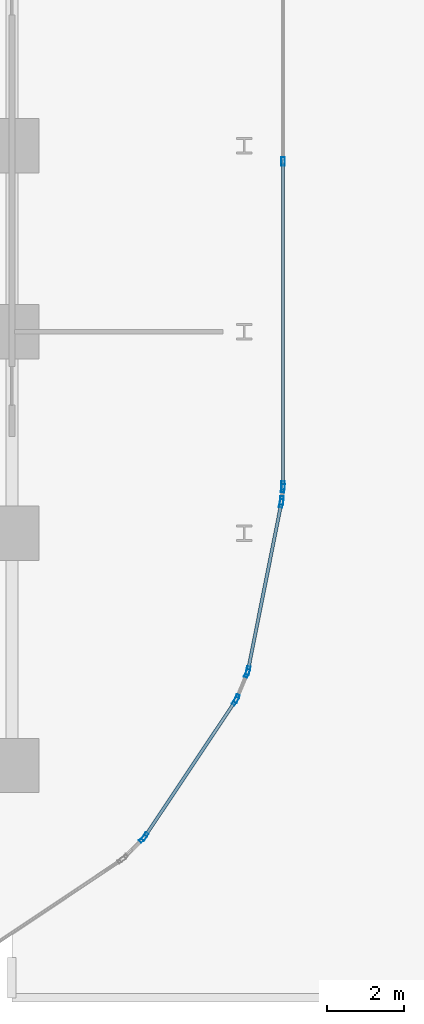
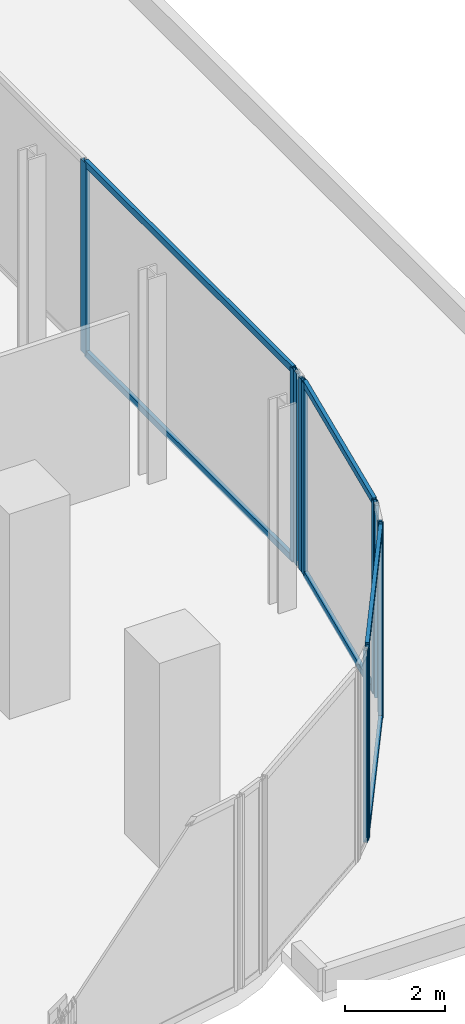
# One storey, part 15 of 29: 17 members, 6 elements without a shape of their own.
"""IFC4 building model written with IfcOpenShell, lengths in metres."""

from ifc_helpers import new_model, si_unit, direction, frame, origin, origin_2d, place, context, subcontext, project, spatial, hollow_rectangle, extrude, material, layer, layer_set, material_profile, profile_set, type_object, element, aggregate, save


model = new_model("IFC4")

# Units and contexts
model_context = context("Model", 3, precision=1e-05, world=origin(), true_north=direction((0.0, 1.0)))
body_context = subcontext(model_context, "Body", "Model", "MODEL_VIEW")
ifc_project = project(units=[si_unit("LENGTHUNIT", "METRE"), si_unit("AREAUNIT", "SQUARE_METRE"), si_unit("VOLUMEUNIT", "CUBIC_METRE"), si_unit("PLANEANGLEUNIT", "RADIAN"), si_unit("MASSUNIT", "GRAM", prefix="KILO")], contexts=[model_context])

# Site, building, storey
site_placement = place(None, origin())
site = spatial("IfcSite", under=ifc_project, at=site_placement, CompositionType="ELEMENT")
building_placement = place(site_placement, origin())
building = spatial("IfcBuilding", under=site, at=building_placement, Name="Keshet Zoharim Tower", CompositionType="ELEMENT")
storey_placement = place(building_placement, frame((0.0, 0.0, 19.0)))
storey = spatial("IfcBuildingStorey", under=building, at=storey_placement, Name="L03", CompositionType="ELEMENT", Elevation=19.0)

# Curtain wall, members
ifc_material = material(Name="Aluminium 6063-T6", Category="aluminium")
ifc_layer_1 = layer(ifc_material, 0.169921875)
ifc_layer_set_1 = layer_set([ifc_layer_1], Name="Aluminium 6063-T6")
curtain_wall_type_1 = type_object("IfcCurtainWallType", Name="CW-SYS-02", PredefinedType="NOTDEFINED", material=ifc_layer_set_1)
curtain_wall_1_placement = place(storey_placement, origin())
curtain_wall_1 = element("IfcCurtainWall", 1, at=curtain_wall_1_placement, inside=storey, type_object=curtain_wall_type_1, Name="L03 Unitised Curtain Wall 15", PredefinedType="NOTDEFINED")
ifc_material_profile_1 = material_profile(ifc_material, hollow_rectangle(XDim=0.090087890625, YDim=0.219970703125, WallThickness=0.0048828125, at=origin_2d()), Name="MUL-90x220")
ifc_profile_set_1 = profile_set([ifc_material_profile_1], Name="Aluminium 6063-T6")
member_type_1 = type_object("IfcMemberType", Name="CWM-M22", PredefinedType="MULLION", material=ifc_profile_set_1)
member_1_placement = place(storey_placement, frame((70.0, 22.298583984375, 0.0), z_axis=(0.0, 0.0, 1.0), x_axis=(1.0, 0.0, 0.0)))
member_1 = element("IfcMember", 2, at=member_1_placement, type_object=member_type_1, Name="CW-02 mullion 2", PredefinedType="MULLION", context=body_context, shape_type="SweptSolid", body=[
    extrude(hollow_rectangle(XDim=0.090087890625, YDim=0.219970703125, WallThickness=0.0048828125, at=origin_2d()), origin(), (0.0, 0.0, 1.0), 4.68505859375),
])
member_2_placement = place(storey_placement, frame((70.0, 13.931884765625, 0.0), z_axis=(0.0, 0.0, 1.0), x_axis=(1.0, 0.0, 0.0)))
member_2 = element("IfcMember", 3, at=member_2_placement, type_object=member_type_1, Name="CW-02 mullion 3", PredefinedType="MULLION", context=body_context, shape_type="SweptSolid", body=[
    extrude(hollow_rectangle(XDim=0.090087890625, YDim=0.219970703125, WallThickness=0.0048828125, at=origin_2d()), origin(), (0.0, 0.0, 1.0), 4.68505859375),
])

curtain_wall_2_placement = place(storey_placement, origin())
curtain_wall_2 = element("IfcCurtainWall", 4, at=curtain_wall_2_placement, inside=storey, type_object=curtain_wall_type_1, Name="L03 Unitised Curtain Wall 16", PredefinedType="NOTDEFINED")
member_3_placement = place(storey_placement, frame((69.99658203125, 13.862060546875, 0.0), z_axis=(0.0, 0.0, 1.0), x_axis=(0.995286657009, -0.096976648633, 0.0)))
member_3 = element("IfcMember", 5, at=member_3_placement, type_object=member_type_1, Name="CW-02 mullion 1", PredefinedType="MULLION", context=body_context, shape_type="SweptSolid", body=[
    extrude(hollow_rectangle(XDim=0.090087890625, YDim=0.219970703125, WallThickness=0.0048828125, at=origin_2d()), origin(), (0.0, 0.0, 1.0), 4.68505859375),
])
member_4_placement = place(storey_placement, frame((69.96533203125, 13.541748046875, 0.0), z_axis=(0.0, 0.0, 1.0), x_axis=(0.995286657009, -0.096976648633, 0.0)))
member_4 = element("IfcMember", 6, at=member_4_placement, type_object=member_type_1, Name="CW-02 mullion 2", PredefinedType="MULLION", context=body_context, shape_type="SweptSolid", body=[
    extrude(hollow_rectangle(XDim=0.090087890625, YDim=0.219970703125, WallThickness=0.0048828125, at=origin_2d()), origin(), (0.0, 0.0, 1.0), 4.68505859375),
])
aggregate(curtain_wall_2, [member_3, member_4])

curtain_wall_3_placement = place(storey_placement, origin())
curtain_wall_3 = element("IfcCurtainWall", 7, at=curtain_wall_3_placement, inside=storey, type_object=curtain_wall_type_1, Name="L03 Unitised Curtain Wall 17", PredefinedType="NOTDEFINED")
member_5_placement = place(storey_placement, frame((69.955078125, 13.47265625, 0.0), z_axis=(0.0, 0.0, 1.0), x_axis=(0.98076917357, -0.195171279072, 0.0)))
member_5 = element("IfcMember", 8, at=member_5_placement, type_object=member_type_1, Name="CW-02 mullion 1", PredefinedType="MULLION", context=body_context, shape_type="SweptSolid", body=[
    extrude(hollow_rectangle(XDim=0.090087890625, YDim=0.219970703125, WallThickness=0.0048828125, at=origin_2d()), origin(), (0.0, 0.0, 1.0), 4.68505859375),
])
member_6_placement = place(storey_placement, frame((69.0947265625, 9.1494140625, 0.0), z_axis=(0.0, 0.0, 1.0), x_axis=(0.98076917357, -0.195171279072, 0.0)))
member_6 = element("IfcMember", 9, at=member_6_placement, type_object=member_type_1, Name="CW-02 mullion 2", PredefinedType="MULLION", context=body_context, shape_type="SweptSolid", body=[
    extrude(hollow_rectangle(XDim=0.090087890625, YDim=0.219970703125, WallThickness=0.0048828125, at=origin_2d()), origin(), (0.0, 0.0, 1.0), 4.68505859375),
])

ifc_layer_2 = layer(ifc_material, 0.179931640625)
ifc_layer_set_2 = layer_set([ifc_layer_2], Name="Aluminium 6063-T6")
curtain_wall_type_2 = type_object("IfcCurtainWallType", Name="CW-SYS-01", PredefinedType="NOTDEFINED", material=ifc_layer_set_2)
curtain_wall_4_placement = place(storey_placement, origin())
curtain_wall_4 = element("IfcCurtainWall", 10, at=curtain_wall_4_placement, inside=storey, type_object=curtain_wall_type_2, Name="L03 Unitised Curtain Wall 18", PredefinedType="NOTDEFINED")
member_7_placement = place(storey_placement, frame((69.07470703125, 9.082763671875, 0.0), z_axis=(0.0, 0.0, 1.0), x_axis=(0.923720000557, -0.383068349739, 0.0)))
member_7 = element("IfcMember", 11, at=member_7_placement, type_object=member_type_1, Name="CW-01 mullion 1", PredefinedType="MULLION", context=body_context, shape_type="SweptSolid", body=[
    extrude(hollow_rectangle(XDim=0.090087890625, YDim=0.219970703125, WallThickness=0.0048828125, at=origin_2d()), origin(), (0.0, 0.0, 1.0), 4.68505859375),
])
member_8_placement = place(storey_placement, frame((68.802490234375, 8.42626953125, 0.0), z_axis=(0.0, 0.0, 1.0), x_axis=(0.923720000557, -0.383068349739, 0.0)))
member_8 = element("IfcMember", 12, at=member_8_placement, type_object=member_type_1, Name="CW-01 mullion 2", PredefinedType="MULLION", context=body_context, shape_type="SweptSolid", body=[
    extrude(hollow_rectangle(XDim=0.090087890625, YDim=0.219970703125, WallThickness=0.0048828125, at=origin_2d()), origin(), (0.0, 0.0, 1.0), 4.68505859375),
])
aggregate(curtain_wall_4, [member_7, member_8])

curtain_wall_5_placement = place(storey_placement, origin())
curtain_wall_5 = element("IfcCurtainWall", 13, at=curtain_wall_5_placement, inside=storey, type_object=curtain_wall_type_2, Name="L03 Unitised Curtain Wall 19", PredefinedType="NOTDEFINED")
member_9_placement = place(storey_placement, frame((68.76953125, 8.364990234375, 0.0), z_axis=(0.0, 0.0, 1.0), x_axis=(0.831474282335, -0.555563243758, 0.0)))
member_9 = element("IfcMember", 14, at=member_9_placement, type_object=member_type_1, Name="CW-01 mullion 1", PredefinedType="MULLION", context=body_context, shape_type="SweptSolid", body=[
    extrude(hollow_rectangle(XDim=0.090087890625, YDim=0.219970703125, WallThickness=0.0048828125, at=origin_2d()), origin(), (0.0, 0.0, 1.0), 4.68505859375),
])
member_10_placement = place(storey_placement, frame((66.432373046875, 4.8671875, 0.0), z_axis=(0.0, 0.0, 1.0), x_axis=(0.831474282335, -0.555563243758, 0.0)))
member_10 = element("IfcMember", 15, at=member_10_placement, type_object=member_type_1, Name="CW-01 mullion 2", PredefinedType="MULLION", context=body_context, shape_type="SweptSolid", body=[
    extrude(hollow_rectangle(XDim=0.090087890625, YDim=0.219970703125, WallThickness=0.0048828125, at=origin_2d()), origin(), (0.0, 0.0, 1.0), 4.68505859375),
])

# Curtain wall, member
curtain_wall_6_placement = place(storey_placement, origin())
curtain_wall_6 = element("IfcCurtainWall", 16, at=curtain_wall_6_placement, inside=storey, type_object=curtain_wall_type_2, Name="L03 Unitised Curtain Wall 20", PredefinedType="NOTDEFINED")
member_11_placement = place(storey_placement, frame((66.38818359375, 4.813232421875, 0.0), z_axis=(0.0, 0.0, 1.0), x_axis=(0.707106781187, -0.707106781187, 0.0)))
member_11 = element("IfcMember", 17, at=member_11_placement, type_object=member_type_1, Name="CW-01 mullion 1", PredefinedType="MULLION", context=body_context, shape_type="SweptSolid", body=[
    extrude(hollow_rectangle(XDim=0.090087890625, YDim=0.219970703125, WallThickness=0.0048828125, at=origin_2d()), origin(), (0.0, 0.0, 1.0), 4.68505859375),
])
aggregate(curtain_wall_6, [member_11])

# Member
ifc_material_profile_2 = material_profile(ifc_material, hollow_rectangle(XDim=0.0849609375, YDim=0.159912109375, WallThickness=0.00439453125, at=origin_2d()), Name="TRN-85x160")
ifc_profile_set_2 = profile_set([ifc_material_profile_2], Name="Aluminium 6063-T6")
member_type_2 = type_object("IfcMemberType", Name="CWT-T16", PredefinedType="USERDEFINED", material=ifc_profile_set_2)
member_12_placement = place(storey_placement, frame((70.0, 22.263427734375, 0.034912109375), z_axis=(0.0, -1.0, 0.0), x_axis=(1.0, 0.0, 0.0)))
member_12 = element("IfcMember", 18, at=member_12_placement, type_object=member_type_2, Name="CW-02 transom 2.1", ObjectType="TRANSOM", PredefinedType="USERDEFINED", context=body_context, shape_type="SweptSolid", body=[
    extrude(hollow_rectangle(XDim=0.0849609375, YDim=0.159912109375, WallThickness=0.00439453125, at=origin_2d()), origin(), (0.0, 0.0, 1.0), 8.29638671875),
])

member_13_placement = place(storey_placement, frame((70.0, 22.263427734375, 4.64990234375), z_axis=(0.0, -1.0, 0.0), x_axis=(1.0, 0.0, 0.0)))
member_13 = element("IfcMember", 19, at=member_13_placement, type_object=member_type_2, Name="CW-02 transom 2.2", ObjectType="TRANSOM", PredefinedType="USERDEFINED", context=body_context, shape_type="SweptSolid", body=[
    extrude(hollow_rectangle(XDim=0.0849609375, YDim=0.159912109375, WallThickness=0.00439453125, at=origin_2d()), origin(), (0.0, 0.0, 1.0), 8.29638671875),
])

aggregate(curtain_wall_1, [member_1, member_2, member_12, member_13])

member_14_placement = place(storey_placement, frame((69.9482421875, 13.438232421875, 0.034912109375), z_axis=(-0.195174459131, -0.980768540739, 0.0), x_axis=(0.980768540739, -0.195174459131, 0.0)))
member_14 = element("IfcMember", 20, at=member_14_placement, type_object=member_type_2, Name="CW-02 transom 1.1", ObjectType="TRANSOM", PredefinedType="USERDEFINED", context=body_context, shape_type="SweptSolid", body=[
    extrude(hollow_rectangle(XDim=0.0849609375, YDim=0.159912109375, WallThickness=0.00439453125, at=origin_2d()), origin(), (0.0, 0.0, 1.0), 4.338134765625),
])

member_15_placement = place(storey_placement, frame((69.9482421875, 13.438232421875, 4.64990234375), z_axis=(-0.195174459131, -0.980768540739, 0.0), x_axis=(0.980768540739, -0.195174459131, 0.0)))
member_15 = element("IfcMember", 21, at=member_15_placement, type_object=member_type_2, Name="CW-02 transom 1.2", ObjectType="TRANSOM", PredefinedType="USERDEFINED", context=body_context, shape_type="SweptSolid", body=[
    extrude(hollow_rectangle(XDim=0.0849609375, YDim=0.159912109375, WallThickness=0.00439453125, at=origin_2d()), origin(), (0.0, 0.0, 1.0), 4.338134765625),
])

aggregate(curtain_wall_3, [member_5, member_6, member_14, member_15])

member_16_placement = place(storey_placement, frame((68.75, 8.335693359375, 0.034912109375), z_axis=(-0.55555796544, -0.831477809106, 0.0), x_axis=(0.831477809106, -0.55555796544, 0.0)))
member_16 = element("IfcMember", 22, at=member_16_placement, type_object=member_type_2, Name="CW-01 transom 1.1", ObjectType="TRANSOM", PredefinedType="USERDEFINED", context=body_context, shape_type="SweptSolid", body=[
    extrude(hollow_rectangle(XDim=0.0849609375, YDim=0.159912109375, WallThickness=0.00439453125, at=origin_2d()), origin(), (0.0, 0.0, 1.0), 4.136474609375),
])

member_17_placement = place(storey_placement, frame((68.75, 8.335693359375, 4.64990234375), z_axis=(-0.55555796544, -0.831477809106, 0.0), x_axis=(0.831477809106, -0.55555796544, 0.0)))
member_17 = element("IfcMember", 23, at=member_17_placement, type_object=member_type_2, Name="CW-01 transom 1.2", ObjectType="TRANSOM", PredefinedType="USERDEFINED", context=body_context, shape_type="SweptSolid", body=[
    extrude(hollow_rectangle(XDim=0.0849609375, YDim=0.159912109375, WallThickness=0.00439453125, at=origin_2d()), origin(), (0.0, 0.0, 1.0), 4.136474609375),
])

aggregate(curtain_wall_5, [member_9, member_10, member_16, member_17])

save(model, "model.ifc")
